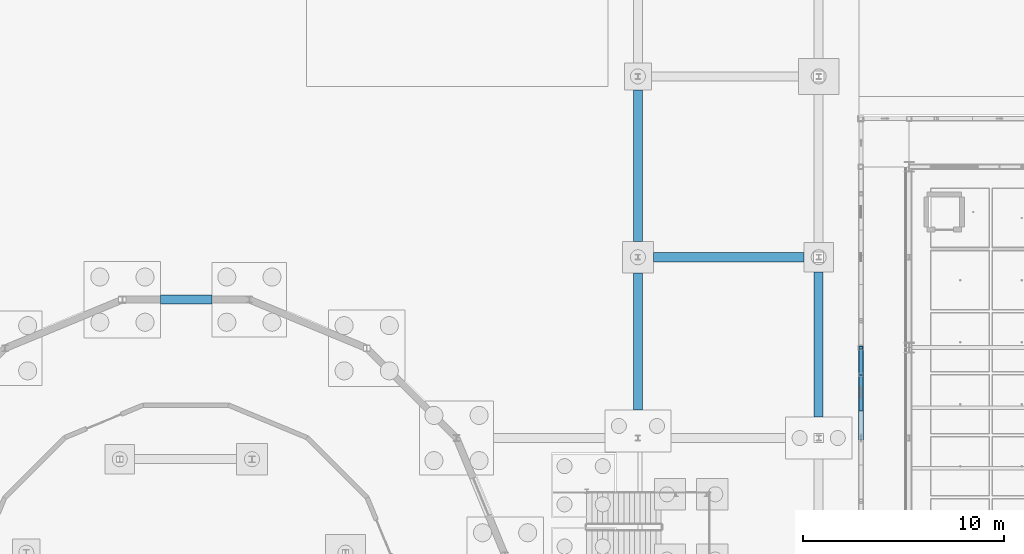
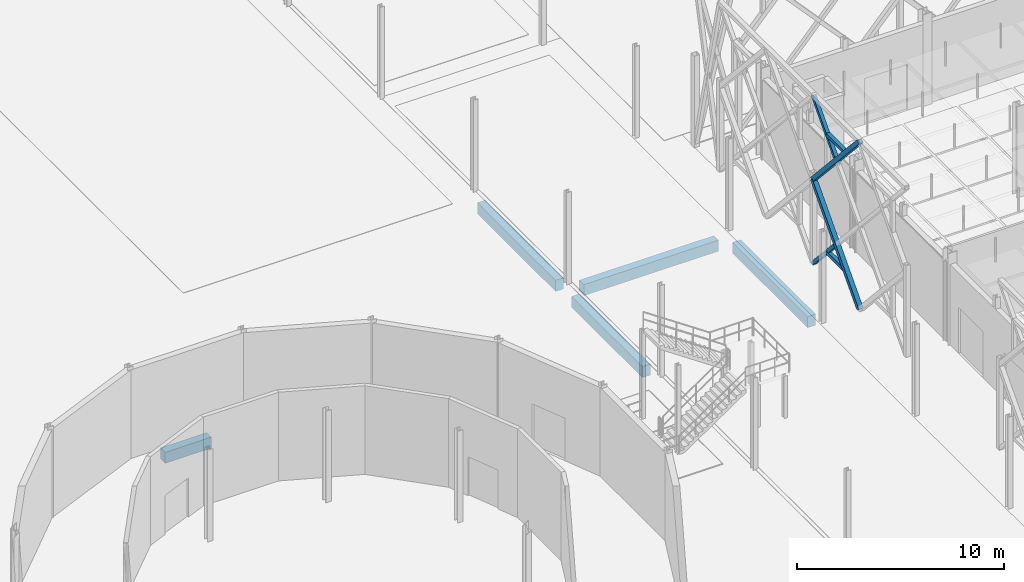
# One storey, part 32 of 180: 6 members, 5 beams.
"""IFC4 building model written with IfcOpenShell, lengths in metres."""

from ifc_helpers import new_model, si_unit, direction, frame, origin, origin_2d, place, context, subcontext, project, spatial, rectangle, hollow_rectangle, extrude, material, material_profile, profile_set, type_object, element, save


model = new_model("IFC4")

# Units and contexts
model_context = context("Model", 3, precision=1e-05, world=origin(), true_north=direction((0.0, 1.0)))
body_context = subcontext(model_context, "Body", "Model", "MODEL_VIEW")
ifc_project = project(units=[si_unit("LENGTHUNIT", "METRE"), si_unit("AREAUNIT", "SQUARE_METRE"), si_unit("VOLUMEUNIT", "CUBIC_METRE"), si_unit("PLANEANGLEUNIT", "RADIAN"), si_unit("MASSUNIT", "GRAM", prefix="KILO"), si_unit("THERMODYNAMICTEMPERATUREUNIT", "KELVIN"), si_unit("POWERUNIT", "WATT")], contexts=[model_context])

# Site, building, storey
site_placement = place(None, origin())
site = spatial("IfcSite", under=ifc_project, at=site_placement, CompositionType="ELEMENT")
building_placement = place(site_placement, origin())
building = spatial("IfcBuilding", under=site, at=building_placement, Name="Tallowbark Science Centre", CompositionType="ELEMENT")
storey_placement = place(building_placement, origin())
storey = spatial("IfcBuildingStorey", under=building, at=storey_placement, Name="L00", CompositionType="ELEMENT", Elevation=0.0)

# Beams
ifc_material_1 = material(Name="Concrete Grade N40 (40 MPa)", Category="concrete")
ifc_material_profile_1 = material_profile(ifc_material_1, rectangle(XDim=0.449951171875, YDim=0.64990234375, at=origin_2d()), Name="RC450x650")
ifc_profile_set_1 = profile_set([ifc_material_profile_1], Name="Concrete Grade N40 (40 MPa)")
beam_type = type_object("IfcBeamType", Name="BM-GB2-N40", PredefinedType="BEAM", material=ifc_profile_set_1)
beam_1_placement = place(storey_placement, frame((21.239501953125, 33.888671875, -0.5849609375), z_axis=(1.0, 0.0, 0.0), x_axis=(0.0, 1.0, 0.0)))
element("IfcBeam", 1, at=beam_1_placement, inside=storey, type_object=beam_type, Name="Ground Tie Beam GBT-X-241", PredefinedType="BEAM", context=body_context, shape_type="SweptSolid", body=[
    extrude(rectangle(XDim=0.449951171875, YDim=0.64990234375, at=origin_2d()), origin(), (0.0, 0.0, 1.0), 2.571044921875),
])
beam_2_placement = place(storey_placement, frame((45.77490234375, 36.0, -0.5849609375), z_axis=(1.0, 0.0, 0.0), x_axis=(0.0, 1.0, 0.0)))
element("IfcBeam", 2, at=beam_2_placement, inside=storey, type_object=beam_type, Name="Ground Tie Beam GBT-X-261", PredefinedType="BEAM", context=body_context, shape_type="SweptSolid", body=[
    extrude(rectangle(XDim=0.449951171875, YDim=0.64990234375, at=origin_2d()), origin(), (0.0, 0.0, 1.0), 7.5),
])
beam_3_placement = place(storey_placement, frame((45.0, 28.39990234375, -0.5849609375), z_axis=(0.0, 1.0, 0.0), x_axis=(-1.0, 0.0, 0.0)))
element("IfcBeam", 3, at=beam_3_placement, inside=storey, type_object=beam_type, Name="Ground Tie Beam GBT-Y-306", PredefinedType="BEAM", context=body_context, shape_type="SweptSolid", body=[
    extrude(rectangle(XDim=0.449951171875, YDim=0.64990234375, at=origin_2d()), origin(), (0.0, 0.0, 1.0), 6.8251953125),
])
beam_4_placement = place(storey_placement, frame((45.0, 36.77490234375, -0.5849609375), z_axis=(0.0, 1.0, 0.0), x_axis=(-1.0, 0.0, 0.0)))
element("IfcBeam", 4, at=beam_4_placement, inside=storey, type_object=beam_type, Name="Ground Tie Beam GBT-Y-307", PredefinedType="BEAM", context=body_context, shape_type="SweptSolid", body=[
    extrude(rectangle(XDim=0.449951171875, YDim=0.64990234375, at=origin_2d()), origin(), (0.0, 0.0, 1.0), 7.550048828125),
])
beam_5_placement = place(storey_placement, frame((54.0, 28.050048828125, -0.5849609375), z_axis=(0.0, 1.0, 0.0), x_axis=(-1.0, 0.0, 0.0)))
element("IfcBeam", 5, at=beam_5_placement, inside=storey, type_object=beam_type, Name="Ground Tie Beam GBT-Y-318", PredefinedType="BEAM", context=body_context, shape_type="SweptSolid", body=[
    extrude(rectangle(XDim=0.449951171875, YDim=0.64990234375, at=origin_2d()), origin(), (0.0, 0.0, 1.0), 7.224853515625),
])

# Members
ifc_material_2 = material(Name="White Architectural Painted Steel Grade C350L0 (350 MPa)", Category="steel")
ifc_material_profile_2 = material_profile(ifc_material_2, hollow_rectangle(XDim=0.25, YDim=0.25, WallThickness=0.009033203125, at=origin_2d()), Name="250x250x9.0SHS")
ifc_profile_set_2 = profile_set([ifc_material_profile_2], Name="White Architectural Painted Steel Grade C350L0 (350 MPa)")
member_type_1 = type_object("IfcMemberType", Name="SCR-CHD200", PredefinedType="CHORD", material=ifc_profile_set_2)
for number, where, z_axis, x_axis, name in (
    (6, (56.10009765625, 27.0, 0.0), (0.0, 0.672676426978, 0.739936770669), (-1.0, 0.0, 0.0), "Star Screen Octagram Diamond Chord W-13-1"),
    (7, (56.10009765625, 31.5, 4.949951171875), (0.0, -0.672676426978, 0.739936770669), (1.0, 0.0, 0.0), "Star Screen Octagram Diamond Chord W-13-2"),
):
    element("IfcMember", number, at=place(storey_placement, frame(where, z_axis=z_axis, x_axis=x_axis)), inside=storey, type_object=member_type_1, Name=name, PredefinedType="CHORD", context=body_context, shape_type="SweptSolid", body=[
        extrude(hollow_rectangle(XDim=0.25, YDim=0.25, WallThickness=0.009033203125, at=origin_2d()), origin(), (0.0, 0.0, 1.0), 6.689697265625),
    ])
ifc_material_profile_3 = material_profile(ifc_material_2, hollow_rectangle(XDim=0.199951171875, YDim=0.199951171875, WallThickness=0.009033203125, at=origin_2d()), Name="200x200x9.0SHS")
ifc_profile_set_3 = profile_set([ifc_material_profile_3], Name="White Architectural Painted Steel Grade C350L0 (350 MPa)")
member_type_2 = type_object("IfcMemberType", Name="SCR-STAR139", PredefinedType="BRACE", material=ifc_profile_set_3)
member_1_placement = place(storey_placement, frame((56.10009765625, 29.25, 7.425048828125), z_axis=(0.0, 0.672694592231, 0.739920256233), x_axis=(-1.0, 0.0, 0.0)))
element("IfcMember", 8, at=member_1_placement, inside=storey, type_object=member_type_2, Name="Star Screen Continuous X-Diagonal D1B W-13", PredefinedType="BRACE", context=body_context, shape_type="SweptSolid", body=[
    extrude(hollow_rectangle(XDim=0.199951171875, YDim=0.199951171875, WallThickness=0.009033203125, at=origin_2d()), origin(), (0.0, 0.0, 1.0), 3.3447265625),
])
member_2_placement = place(storey_placement, frame((56.10009765625, 29.25, 2.47509765625), z_axis=(0.0, 0.672658262301, -0.739953283768), x_axis=(-1.0, 0.0, 0.0)))
element("IfcMember", 9, at=member_2_placement, inside=storey, type_object=member_type_2, Name="Star Screen Split X-Diagonal D2D W-13", PredefinedType="BRACE", context=body_context, shape_type="SweptSolid", body=[
    extrude(hollow_rectangle(XDim=0.199951171875, YDim=0.199951171875, WallThickness=0.009033203125, at=origin_2d()), origin(), (0.0, 0.0, 1.0), 3.344970703125),
])
ifc_material_profile_4 = material_profile(ifc_material_2, hollow_rectangle(XDim=0.199951171875, YDim=0.199951171875, WallThickness=0.009033203125, at=origin_2d()), Name="200x200x9.0SHS")
ifc_profile_set_4 = profile_set([ifc_material_profile_4], Name="White Architectural Painted Steel Grade C350L0 (350 MPa)")
member_type_3 = type_object("IfcMemberType", Name="SCR-SUB150", PredefinedType="BRACE", material=ifc_profile_set_4)
for number, where, z_axis, x_axis, name in (
    (10, (56.10009765625, 30.14990234375, 1.485107421875), (0.0, -1.0, 0.0), (1.0, 0.0, 0.0), "Star Screen Octagram Point Ray W-13-3"),
    (11, (56.10009765625, 30.14990234375, 8.4150390625), (0.0, -1.0, 0.0), (1.0, 0.0, 0.0), "Star Screen Octagram Point Ray W-13-5"),
):
    element("IfcMember", number, at=place(storey_placement, frame(where, z_axis=z_axis, x_axis=x_axis)), inside=storey, type_object=member_type_3, Name=name, PredefinedType="BRACE", context=body_context, shape_type="SweptSolid", body=[
        extrude(hollow_rectangle(XDim=0.199951171875, YDim=0.199951171875, WallThickness=0.009033203125, at=origin_2d()), origin(), (0.0, 0.0, 1.0), 1.7998046875),
    ])

save(model, "model.ifc")
